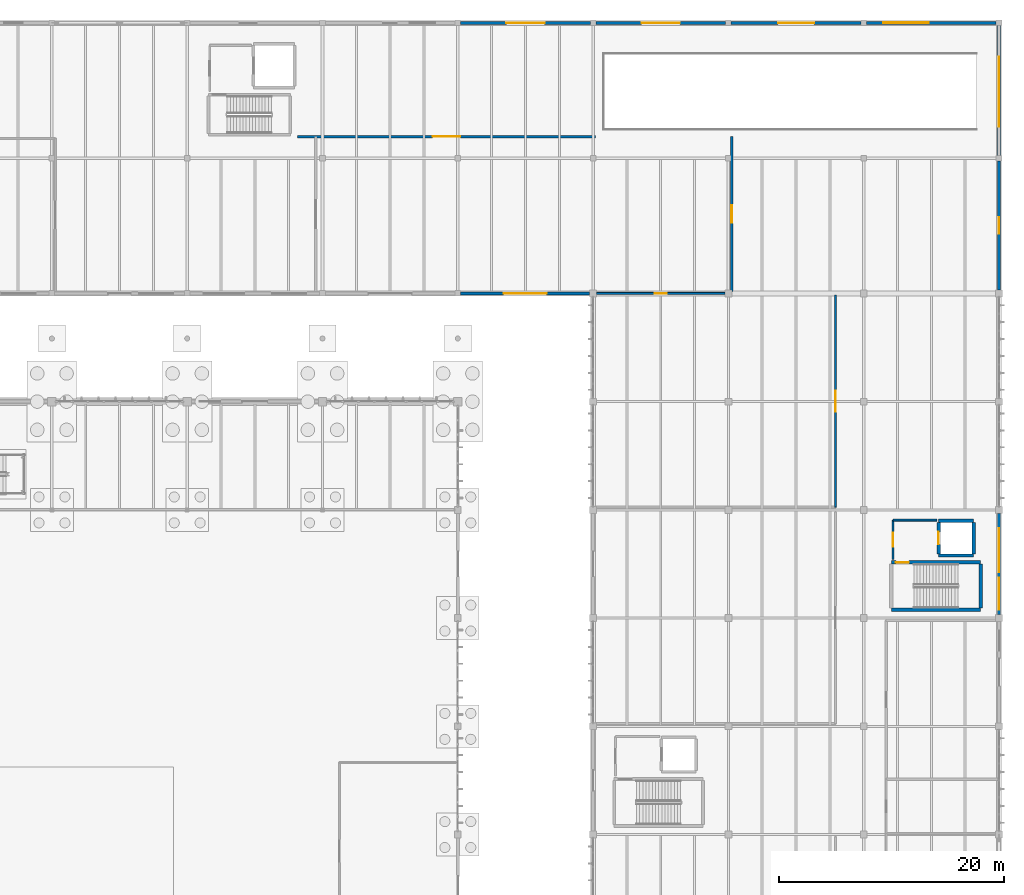
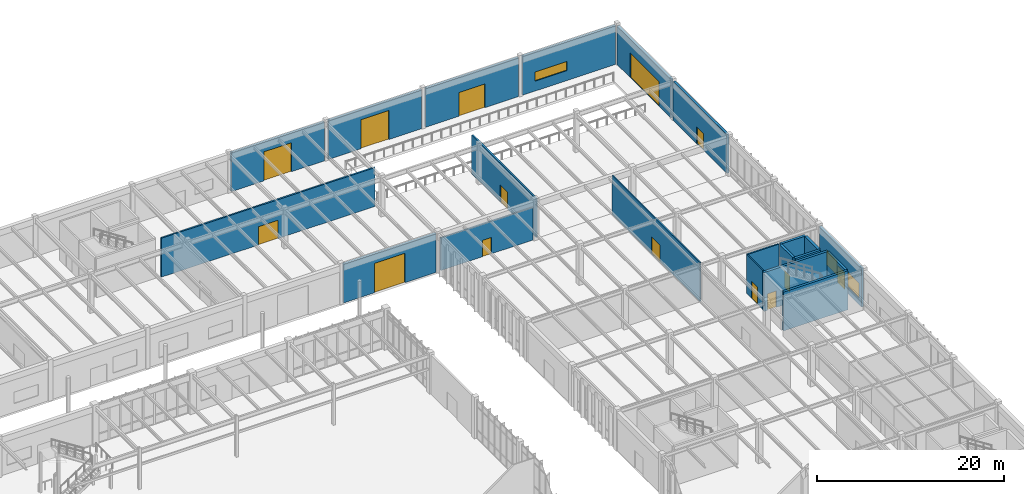
# One storey, part 169 of 188: 21 walls, 14 doors, 3 windows, 17 openings.
"""IFC4 building model written with IfcOpenShell, lengths in metres."""

from ifc_helpers import new_model, si_unit, direction, frame, frame_2d, origin, place, context, subcontext, project, spatial, rectangle, extrude, material, layer, layer_set, type_object, element, fill, save


model = new_model("IFC4")

# Units and contexts
model_context = context("Model", 3, precision=1e-05, world=origin(), true_north=direction((0.0, 1.0)))
body_context = subcontext(model_context, "Body", "Model", "MODEL_VIEW")
ifc_project = project(units=[si_unit("LENGTHUNIT", "METRE"), si_unit("AREAUNIT", "SQUARE_METRE"), si_unit("VOLUMEUNIT", "CUBIC_METRE"), si_unit("PLANEANGLEUNIT", "RADIAN"), si_unit("MASSUNIT", "GRAM", prefix="KILO")], contexts=[model_context])

# Site, building, storey
site_placement = place(None, origin())
site = spatial("IfcSite", under=ifc_project, at=site_placement, CompositionType="ELEMENT")
building_placement = place(site_placement, origin())
building = spatial("IfcBuilding", under=site, at=building_placement, Name="Pandanus Reach Market Hall", CompositionType="ELEMENT")
storey_placement = place(building_placement, origin())
storey = spatial("IfcBuildingStorey", under=building, at=storey_placement, Name="L00", CompositionType="ELEMENT", Elevation=0.0)

# Wall
ifc_material_1 = material(Name="Concrete N40 (40 MPa)", Category="concrete")
ifc_layer_1 = layer(ifc_material_1, 0.300048828125, Name="WL-CORE-300")
ifc_layer_set_1 = layer_set([ifc_layer_1], Name="Concrete N40 (40 MPa)")
wall_type_1 = type_object("IfcWallType", Name="WL-CORE-300", PredefinedType="SHEAR", material=ifc_layer_set_1)
wall_1_placement = place(storey_placement, frame((170.449951171875, 67.949951171875, 0.0), z_axis=(0.0, 0.0, 1.0), x_axis=(1.0, 0.0, 0.0)))
element("IfcWall", 1, at=wall_1_placement, inside=storey, type_object=wall_type_1, Name="Internal wall WL-CORE-300 WL-0220", PredefinedType="SHEAR", context=body_context, shape_type="SweptSolid", body=[
    extrude(rectangle(XDim=7.920166015625, YDim=0.300048828125, at=frame_2d((3.9599609375, 0.0))), origin(), (0.0, 0.0, 1.0), 5.080078125),
])

# Wall, opening, door
wall_2_placement = place(storey_placement, frame((170.449951171875, 72.14990234375, 0.0), z_axis=(0.0, 0.0, 1.0), x_axis=(1.0, 0.0, 0.0)))
wall_2 = element("IfcWall", 2, at=wall_2_placement, inside=storey, type_object=wall_type_1, Name="Internal wall WL-CORE-300 WL-0221", PredefinedType="SHEAR", context=body_context, shape_type="SweptSolid", body=[
    extrude(rectangle(XDim=7.920166015625, YDim=0.300048828125, at=frame_2d((3.9599609375, 0.0))), origin(), (0.0, 0.0, 1.0), 5.080078125),
])
opening_1_placement = place(wall_2_placement, frame((0.39990234375, 0.0, 0.0)))
opening_1 = element("IfcOpeningElement", 3, at=opening_1_placement, cuts=wall_2, Name="Opening DR-FD1", PredefinedType="OPENING", context=body_context, shape_type="SweptSolid", body=[
    extrude(rectangle(XDim=1.14990234375, YDim=2.14990234375, at=frame_2d((0.574951171875, 1.074951171875))), frame((0.0, 0.1650390625, 0.0), z_axis=(0.0, -1.0, 0.0), x_axis=(1.0, 0.0, 0.0)), (0.0, 0.0, 1.0), 0.330078125),
])
ifc_material_2 = material(Name="Fire-rated steel door", Category="steel")
door_type_1 = type_object("IfcDoorType", Name="DR-FD1", OperationType="NOTDEFINED", PredefinedType="DOOR", material=ifc_material_2)
door_1_placement = place(opening_1_placement, origin())
door_1 = element("IfcDoor", 4, at=door_1_placement, inside=storey, type_object=door_type_1, Name="Fire stair door ST-02 L00", OperationType="SINGLE_SWING_LEFT", OverallHeight=2.14990234375, OverallWidth=1.14990234375, PredefinedType="DOOR", context=body_context, shape_type="SweptSolid", body=[
    extrude(rectangle(XDim=1.14990234375, YDim=2.14990234375, at=frame_2d((0.574951171875, 1.074951171875))), frame((0.0, 0.02490234375, 0.0), z_axis=(0.0, -1.0, 0.0), x_axis=(1.0, 0.0, 0.0)), (0.0, 0.0, 1.0), 0.050048828125),
])
fill(opening_1, door_1)

# Walls
wall_3_placement = place(storey_placement, frame((178.3701171875, 68.10009765625, 0.0), z_axis=(0.0, 0.0, 1.0), x_axis=(0.0, 1.0, 0.0)))
element("IfcWall", 5, at=wall_3_placement, inside=storey, type_object=wall_type_1, Name="Internal wall WL-CORE-300 WL-0223", PredefinedType="SHEAR", context=body_context, shape_type="SweptSolid", body=[
    extrude(rectangle(XDim=3.89990234375, YDim=0.300048828125, at=frame_2d((1.949951171875, 0.0))), origin(), (0.0, 0.0, 1.0), 5.080078125),
])
for number, where, z_axis, x_axis, name in (
    (6, (174.64990234375, 72.75, 0.0), (0.0, 0.0, 1.0), (1.0, 0.0, 0.0), "Internal wall WL-CORE-300 WL-0224"),
    (7, (174.64990234375, 75.85009765625, 0.0), (0.0, 0.0, 1.0), (1.0, 0.0, 0.0), "Internal wall WL-CORE-300 WL-0225"),
):
    element("IfcWall", number, at=place(storey_placement, frame(where, z_axis=z_axis, x_axis=x_axis)), inside=storey, type_object=wall_type_1, Name=name, PredefinedType="SHEAR", context=body_context, shape_type="SweptSolid", body=[
        extrude(rectangle(XDim=3.10009765625, YDim=0.300048828125, at=frame_2d((1.550048828125, 0.0))), origin(), (0.0, 0.0, 1.0), 5.080078125),
    ])
wall_4_placement = place(storey_placement, frame((177.75, 72.89990234375, 0.0), z_axis=(0.0, 0.0, 1.0), x_axis=(0.0, 1.0, 0.0)))
element("IfcWall", 8, at=wall_4_placement, inside=storey, type_object=wall_type_1, Name="Internal wall WL-CORE-300 WL-0226", PredefinedType="SHEAR", context=body_context, shape_type="SweptSolid", body=[
    extrude(rectangle(XDim=2.800048828125, YDim=0.300048828125, at=frame_2d((1.39990234375, 0.0))), origin(), (0.0, 0.0, 1.0), 5.080078125),
])

# Wall, opening, door
wall_5_placement = place(storey_placement, frame((174.64990234375, 72.89990234375, 0.0), z_axis=(0.0, 0.0, 1.0), x_axis=(0.0, 1.0, 0.0)))
wall_5 = element("IfcWall", 9, at=wall_5_placement, inside=storey, type_object=wall_type_1, Name="Internal wall WL-CORE-300 WL-0227", PredefinedType="SHEAR", context=body_context, shape_type="SweptSolid", body=[
    extrude(rectangle(XDim=2.800048828125, YDim=0.300048828125, at=frame_2d((1.39990234375, 0.0))), origin(), (0.0, 0.0, 1.0), 5.080078125),
])
opening_2_placement = place(wall_5_placement, frame((0.85009765625, 0.0, 0.0)))
opening_2 = element("IfcOpeningElement", 10, at=opening_2_placement, cuts=wall_5, Name="Opening LD-01", PredefinedType="OPENING", context=body_context, shape_type="SweptSolid", body=[
    extrude(rectangle(XDim=1.10009765625, YDim=2.14990234375, at=frame_2d((0.550048828125, 1.074951171875))), frame((0.0, 0.1650390625, 0.0), z_axis=(0.0, -1.0, 0.0), x_axis=(1.0, 0.0, 0.0)), (0.0, 0.0, 1.0), 0.330078125),
])
ifc_material_3 = material(Name="Stainless steel lift landing door", Category="steel")
door_type_2 = type_object("IfcDoorType", Name="LD-01", OperationType="SLIDING_TO_LEFT", PredefinedType="DOOR", material=ifc_material_3)
door_2_placement = place(opening_2_placement, origin())
door_2 = element("IfcDoor", 11, at=door_2_placement, inside=storey, type_object=door_type_2, Name="Lift landing door LF-02 LD-01 24", OperationType="SLIDING_TO_LEFT", OverallHeight=2.14990234375, OverallWidth=1.10009765625, PredefinedType="DOOR", context=body_context, shape_type="SweptSolid", body=[
    extrude(rectangle(XDim=1.10009765625, YDim=2.14990234375, at=frame_2d((0.550048828125, 1.074951171875))), frame((0.0, 0.02490234375, 0.0), z_axis=(0.0, -1.0, 0.0), x_axis=(1.0, 0.0, 0.0)), (0.0, 0.0, 1.0), 0.050048828125),
])
fill(opening_2, door_2)

ifc_material_4 = material(Name="Precast concrete S50 (50 MPa)", Category="concrete")
ifc_layer_2 = layer(ifc_material_4, 0.175048828125, Name="WL-EXT-175")
ifc_layer_set_2 = layer_set([ifc_layer_2], Name="Precast concrete S50 (50 MPa)")
wall_type_2 = type_object("IfcWallType", Name="WL-EXT-175", PredefinedType="SOLIDWALL", material=ifc_layer_set_2)
wall_6_placement = place(storey_placement, frame((144.300048828125, 96.0, 0.0), z_axis=(0.0, 0.0, 1.0), x_axis=(1.0, 0.0, 0.0)))
wall_6 = element("IfcWall", 12, at=wall_6_placement, inside=storey, type_object=wall_type_2, Name="External wall WL-EXT-175 WL-0117", PredefinedType="SOLIDWALL", context=body_context, shape_type="SweptSolid", body=[
    extrude(rectangle(XDim=11.39990234375, YDim=0.175048828125, at=frame_2d((5.699951171875, 0.0))), origin(), (0.0, 0.0, 1.0), 4.256103515625),
])
opening_3_placement = place(wall_6_placement, frame((5.14990234375, 0.0, 0.0)))
opening_3 = element("IfcOpeningElement", 13, at=opening_3_placement, cuts=wall_6, Name="Opening ED-110", PredefinedType="OPENING", context=body_context, shape_type="SweptSolid", body=[
    extrude(rectangle(XDim=1.10009765625, YDim=2.14990234375, at=frame_2d((0.550048828125, 1.074951171875))), frame((0.0, 0.1025390625, 0.0), z_axis=(0.0, -1.0, 0.0), x_axis=(1.0, 0.0, 0.0)), (0.0, 0.0, 1.0), 0.205078125),
])
ifc_material_5 = material(Name="Galvanised steel Grade 350 (350 MPa)", Category="steel")
door_type_3 = type_object("IfcDoorType", Name="ED-110", OperationType="NOTDEFINED", PredefinedType="DOOR", material=ifc_material_5)
door_3_placement = place(opening_3_placement, frame((1.10009765625, 0.0, 0.0), z_axis=(0.0, 0.0, 1.0), x_axis=(-1.0, 0.0, 0.0)))
door_3 = element("IfcDoor", 14, at=door_3_placement, inside=storey, type_object=door_type_3, Name="Service lobby rated pass door ED-110 39", OperationType="SINGLE_SWING_RIGHT", OverallHeight=2.14990234375, OverallWidth=1.10009765625, PredefinedType="DOOR", context=body_context, shape_type="SweptSolid", body=[
    extrude(rectangle(XDim=1.10009765625, YDim=2.14990234375, at=frame_2d((0.550048828125, 1.074951171875))), frame((0.0, 0.02490234375, 0.0), z_axis=(0.0, -1.0, 0.0), x_axis=(1.0, 0.0, 0.0)), (0.0, 0.0, 1.0), 0.050048828125),
])
fill(opening_3, door_3)

# Wall, openings, door, windows
ifc_layer_3 = layer(ifc_material_4, 0.260009765625, Name="WL-EXT-260")
ifc_layer_set_3 = layer_set([ifc_layer_3], Name="Precast concrete S50 (50 MPa)")
wall_type_3 = type_object("IfcWallType", Name="WL-EXT-260", PredefinedType="SOLIDWALL", material=ifc_layer_set_3)
wall_7_placement = place(storey_placement, frame((180.0, 67.5, 0.0), z_axis=(0.0, 0.0, 1.0), x_axis=(0.0, 1.0, 0.0)))
wall_7 = element("IfcWall", 15, at=wall_7_placement, inside=storey, type_object=wall_type_3, Name="External wall WL-EXT-260 WL-0093", PredefinedType="SOLIDWALL", context=body_context, shape_type="SweptSolid", body=[
    extrude(rectangle(XDim=9.0, YDim=0.260009765625, at=frame_2d((4.5, 0.0))), origin(), (0.0, 0.0, 1.0), 5.10009765625),
])
opening_4_placement = place(wall_7_placement, frame((3.75, 0.0, 0.0)))
opening_4 = element("IfcOpeningElement", 16, at=opening_4_placement, cuts=wall_7, Name="Opening ED-150", PredefinedType="OPENING", context=body_context, shape_type="SweptSolid", body=[
    extrude(rectangle(XDim=1.5, YDim=2.199951171875, at=frame_2d((0.75, 1.10009765625))), frame((0.0, 0.14501953125, 0.0), z_axis=(0.0, -1.0, 0.0), x_axis=(1.0, 0.0, 0.0)), (0.0, 0.0, 1.0), 0.2900390625),
])
opening_5_placement = place(wall_7_placement, frame((5.39990234375, 0.0, 0.85009765625)))
opening_5 = element("IfcOpeningElement", 17, at=opening_5_placement, cuts=wall_7, Name="Opening WN-33", PredefinedType="OPENING", context=body_context, shape_type="SweptSolid", body=[
    extrude(rectangle(XDim=2.25, YDim=1.949951171875, at=frame_2d((1.125, 0.97509765625))), frame((0.0, 0.14501953125, 0.0), z_axis=(0.0, -1.0, 0.0), x_axis=(1.0, 0.0, 0.0)), (0.0, 0.0, 1.0), 0.2900390625),
])
opening_6_placement = place(wall_7_placement, frame((0.449951171875, 0.0, 0.85009765625)))
opening_6 = element("IfcOpeningElement", 18, at=opening_6_placement, cuts=wall_7, Name="Opening WN-34", PredefinedType="OPENING", context=body_context, shape_type="SweptSolid", body=[
    extrude(rectangle(XDim=2.85009765625, YDim=1.949951171875, at=frame_2d((1.425048828125, 0.97509765625))), frame((0.0, 0.14501953125, 0.0), z_axis=(0.0, -1.0, 0.0), x_axis=(1.0, 0.0, 0.0)), (0.0, 0.0, 1.0), 0.2900390625),
])
ifc_material_6 = material(Name="Bronze anodised aluminium", Category="aluminium")
door_type_4 = type_object("IfcDoorType", Name="ED-150", OperationType="NOTDEFINED", PredefinedType="DOOR", material=ifc_material_6)
door_4_placement = place(opening_4_placement, frame((1.5, 0.0, 0.0), z_axis=(0.0, 0.0, 1.0), x_axis=(-1.0, 0.0, 0.0)))
door_4 = element("IfcDoor", 19, at=door_4_placement, inside=storey, type_object=door_type_4, Name="Stair ST-02 boulevard exit ED-150 31", OperationType="SINGLE_SWING_RIGHT", OverallHeight=2.199951171875, OverallWidth=1.5, PredefinedType="DOOR", context=body_context, shape_type="SweptSolid", body=[
    extrude(rectangle(XDim=1.5, YDim=2.199951171875, at=frame_2d((0.75, 1.10009765625))), frame((0.0, 0.02490234375, 0.0), z_axis=(0.0, -1.0, 0.0), x_axis=(1.0, 0.0, 0.0)), (0.0, 0.0, 1.0), 0.050048828125),
])
fill(opening_4, door_4)
ifc_material_7 = material(Name="Solar-control double glazing", Category="glass")
window_type_1 = type_object("IfcWindowType", Name="WN-33", PartitioningType="SINGLE_PANEL", PredefinedType="WINDOW", material=ifc_material_7)
window_1_placement = place(opening_5_placement, origin())
window_1 = element("IfcWindow", 20, at=window_1_placement, inside=storey, type_object=window_type_1, Name="Window WN-33 48", OverallHeight=1.949951171875, OverallWidth=2.25, PartitioningType="SINGLE_PANEL", PredefinedType="WINDOW", context=body_context, shape_type="SweptSolid", body=[
    extrude(rectangle(XDim=2.25, YDim=1.949951171875, at=frame_2d((1.125, 0.97509765625))), frame((0.0, 0.030029296875, 0.0), z_axis=(0.0, -1.0, 0.0), x_axis=(1.0, 0.0, 0.0)), (0.0, 0.0, 1.0), 0.06005859375),
])
fill(opening_5, window_1)
window_type_2 = type_object("IfcWindowType", Name="WN-34", PartitioningType="SINGLE_PANEL", PredefinedType="WINDOW", material=ifc_material_7)
window_2_placement = place(opening_6_placement, origin())
window_2 = element("IfcWindow", 21, at=window_2_placement, inside=storey, type_object=window_type_2, Name="Window WN-34 49", OverallHeight=1.949951171875, OverallWidth=2.85009765625, PartitioningType="SINGLE_PANEL", PredefinedType="WINDOW", context=body_context, shape_type="SweptSolid", body=[
    extrude(rectangle(XDim=2.85009765625, YDim=1.949951171875, at=frame_2d((1.425048828125, 0.97509765625))), frame((0.0, 0.030029296875, 0.0), z_axis=(0.0, -1.0, 0.0), x_axis=(1.0, 0.0, 0.0)), (0.0, 0.0, 1.0), 0.06005859375),
])
fill(opening_6, window_2)

# Wall, opening, door
wall_8_placement = place(storey_placement, frame((132.25, 96.0, 0.0), z_axis=(0.0, 0.0, 1.0), x_axis=(1.0, 0.0, 0.0)))
wall_8 = element("IfcWall", 22, at=wall_8_placement, inside=storey, type_object=wall_type_3, Name="External wall WL-EXT-260 WL-0132", PredefinedType="SOLIDWALL", context=body_context, shape_type="SweptSolid", body=[
    extrude(rectangle(XDim=11.449951171875, YDim=0.260009765625, at=frame_2d((5.72509765625, 0.0))), origin(), (0.0, 0.0, 1.0), 5.080078125),
])
opening_7_placement = place(wall_8_placement, frame((3.824951171875, 0.0, 0.0)))
opening_7 = element("IfcOpeningElement", 23, at=opening_7_placement, cuts=wall_8, Name="Opening LDK-38", PredefinedType="OPENING", context=body_context, shape_type="SweptSolid", body=[
    extrude(rectangle(XDim=3.800048828125, YDim=3.85009765625, at=frame_2d((1.89990234375, 1.925048828125))), frame((0.0, 0.14501953125, 0.0), z_axis=(0.0, -1.0, 0.0), x_axis=(1.0, 0.0, 0.0)), (0.0, 0.0, 1.0), 0.2900390625),
])
ifc_material_8 = material(Name="Insulated galvanised steel dock shutter", Category="steel")
door_type_5 = type_object("IfcDoorType", Name="LDK-38", OperationType="ROLLINGUP", PredefinedType="GATE", material=ifc_material_8)
door_5_placement = place(opening_7_placement, frame((3.800048828125, 0.0, 0.0), z_axis=(0.0, 0.0, 1.0), x_axis=(-1.0, 0.0, 0.0)))
door_5 = element("IfcDoor", 24, at=door_5_placement, inside=storey, type_object=door_type_5, Name="HRV loading dock roller shutter LDK-38 47", OperationType="ROLLINGUP", OverallHeight=3.85009765625, OverallWidth=3.800048828125, PredefinedType="GATE", context=body_context, shape_type="SweptSolid", body=[
    extrude(rectangle(XDim=3.800048828125, YDim=3.85009765625, at=frame_2d((1.89990234375, 1.925048828125))), frame((0.0, 0.02490234375, 0.0), z_axis=(0.0, -1.0, 0.0), x_axis=(1.0, 0.0, 0.0)), (0.0, 0.0, 1.0), 0.050048828125),
])
fill(opening_7, door_5)

wall_9_placement = place(storey_placement, frame((132.25, 120.0, 0.0), z_axis=(0.0, 0.0, 1.0), x_axis=(1.0, 0.0, 0.0)))
wall_9 = element("IfcWall", 25, at=wall_9_placement, inside=storey, type_object=wall_type_3, Name="External wall WL-EXT-260 WL-0133", PredefinedType="SOLIDWALL", context=body_context, shape_type="SweptSolid", body=[
    extrude(rectangle(XDim=11.5, YDim=0.260009765625, at=frame_2d((5.75, 0.0))), origin(), (0.0, 0.0, 1.0), 5.080078125),
])
opening_8_placement = place(wall_9_placement, frame((4.050048828125, 0.0, 0.0)))
opening_8 = element("IfcOpeningElement", 26, at=opening_8_placement, cuts=wall_9, Name="Opening LDK-34", PredefinedType="OPENING", context=body_context, shape_type="SweptSolid", body=[
    extrude(rectangle(XDim=3.39990234375, YDim=3.800048828125, at=frame_2d((1.699951171875, 1.89990234375))), frame((0.0, 0.14501953125, 0.0), z_axis=(0.0, -1.0, 0.0), x_axis=(1.0, 0.0, 0.0)), (0.0, 0.0, 1.0), 0.2900390625),
])
door_type_6 = type_object("IfcDoorType", Name="LDK-34", OperationType="ROLLINGUP", PredefinedType="GATE", material=ifc_material_8)
door_6_placement = place(opening_8_placement, origin())
door_6 = element("IfcDoor", 27, at=door_6_placement, inside=storey, type_object=door_type_6, Name="MRV cold-store dock shutter LDK-34 48", OperationType="ROLLINGUP", OverallHeight=3.800048828125, OverallWidth=3.39990234375, PredefinedType="GATE", context=body_context, shape_type="SweptSolid", body=[
    extrude(rectangle(XDim=3.39990234375, YDim=3.800048828125, at=frame_2d((1.699951171875, 1.89990234375))), frame((0.0, 0.02490234375, 0.0), z_axis=(0.0, -1.0, 0.0), x_axis=(1.0, 0.0, 0.0)), (0.0, 0.0, 1.0), 0.050048828125),
])
fill(opening_8, door_6)

wall_10_placement = place(storey_placement, frame((144.25, 120.0, 0.0), z_axis=(0.0, 0.0, 1.0), x_axis=(1.0, 0.0, 0.0)))
wall_10 = element("IfcWall", 28, at=wall_10_placement, inside=storey, type_object=wall_type_3, Name="External wall WL-EXT-260 WL-0134", PredefinedType="SOLIDWALL", context=body_context, shape_type="SweptSolid", body=[
    extrude(rectangle(XDim=11.5, YDim=0.260009765625, at=frame_2d((5.75, 0.0))), origin(), (0.0, 0.0, 1.0), 5.080078125),
])
opening_9_placement = place(wall_10_placement, frame((4.050048828125, 0.0, 0.0)))
opening_9 = element("IfcOpeningElement", 29, at=opening_9_placement, cuts=wall_10, Name="Opening LDK-34", PredefinedType="OPENING", context=body_context, shape_type="SweptSolid", body=[
    extrude(rectangle(XDim=3.39990234375, YDim=3.800048828125, at=frame_2d((1.699951171875, 1.89990234375))), frame((0.0, 0.14501953125, 0.0), z_axis=(0.0, -1.0, 0.0), x_axis=(1.0, 0.0, 0.0)), (0.0, 0.0, 1.0), 0.2900390625),
])
door_7_placement = place(opening_9_placement, origin())
door_7 = element("IfcDoor", 30, at=door_7_placement, inside=storey, type_object=door_type_6, Name="MRV cold-store dock shutter LDK-34 49", OperationType="ROLLINGUP", OverallHeight=3.800048828125, OverallWidth=3.39990234375, PredefinedType="GATE", context=body_context, shape_type="SweptSolid", body=[
    extrude(rectangle(XDim=3.39990234375, YDim=3.800048828125, at=frame_2d((1.699951171875, 1.89990234375))), frame((0.0, 0.02490234375, 0.0), z_axis=(0.0, -1.0, 0.0), x_axis=(1.0, 0.0, 0.0)), (0.0, 0.0, 1.0), 0.050048828125),
])
fill(opening_9, door_7)

wall_11_placement = place(storey_placement, frame((156.25, 120.0, 0.0), z_axis=(0.0, 0.0, 1.0), x_axis=(1.0, 0.0, 0.0)))
wall_11 = element("IfcWall", 31, at=wall_11_placement, inside=storey, type_object=wall_type_3, Name="External wall WL-EXT-260 WL-0135", PredefinedType="SOLIDWALL", context=body_context, shape_type="SweptSolid", body=[
    extrude(rectangle(XDim=11.5, YDim=0.260009765625, at=frame_2d((5.75, 0.0))), origin(), (0.0, 0.0, 1.0), 5.080078125),
])
opening_10_placement = place(wall_11_placement, frame((4.14990234375, 0.0, 0.0)))
opening_10 = element("IfcOpeningElement", 32, at=opening_10_placement, cuts=wall_11, Name="Opening SYG-32", PredefinedType="OPENING", context=body_context, shape_type="SweptSolid", body=[
    extrude(rectangle(XDim=3.199951171875, YDim=3.10009765625, at=frame_2d((1.60009765625, 1.550048828125))), frame((0.0, 0.14501953125, 0.0), z_axis=(0.0, -1.0, 0.0), x_axis=(1.0, 0.0, 0.0)), (0.0, 0.0, 1.0), 0.2900390625),
])
ifc_material_9 = material(Name="Galvanised steel service yard shutter", Category="steel")
door_type_7 = type_object("IfcDoorType", Name="SYG-32", OperationType="ROLLINGUP", PredefinedType="GATE", material=ifc_material_9)
door_8_placement = place(opening_10_placement, origin())
door_8 = element("IfcDoor", 33, at=door_8_placement, inside=storey, type_object=door_type_7, Name="Service yard roller shutter gate SYG-32 50", OperationType="ROLLINGUP", OverallHeight=3.10009765625, OverallWidth=3.199951171875, PredefinedType="GATE", context=body_context, shape_type="SweptSolid", body=[
    extrude(rectangle(XDim=3.199951171875, YDim=3.10009765625, at=frame_2d((1.60009765625, 1.550048828125))), frame((0.0, 0.02490234375, 0.0), z_axis=(0.0, -1.0, 0.0), x_axis=(1.0, 0.0, 0.0)), (0.0, 0.0, 1.0), 0.050048828125),
])
fill(opening_10, door_8)

# Wall, opening, window
wall_12_placement = place(storey_placement, frame((168.25, 120.0, 0.0), z_axis=(0.0, 0.0, 1.0), x_axis=(1.0, 0.0, 0.0)))
wall_12 = element("IfcWall", 34, at=wall_12_placement, inside=storey, type_object=wall_type_3, Name="External wall WL-EXT-260 WL-0136", PredefinedType="SOLIDWALL", context=body_context, shape_type="SweptSolid", body=[
    extrude(rectangle(XDim=11.5, YDim=0.260009765625, at=frame_2d((5.75, 0.0))), origin(), (0.0, 0.0, 1.0), 5.080078125),
])
opening_11_placement = place(wall_12_placement, frame((1.5, 0.0, 1.300048828125)))
opening_11 = element("IfcOpeningElement", 35, at=opening_11_placement, cuts=wall_12, Name="Opening WN-25", PredefinedType="OPENING", context=body_context, shape_type="SweptSolid", body=[
    extrude(rectangle(XDim=4.0, YDim=1.199951171875, at=frame_2d((2.0, 0.60009765625))), frame((0.0, 0.14501953125, 0.0), z_axis=(0.0, -1.0, 0.0), x_axis=(1.0, 0.0, 0.0)), (0.0, 0.0, 1.0), 0.2900390625),
])
window_type_3 = type_object("IfcWindowType", Name="WN-25", PartitioningType="SINGLE_PANEL", PredefinedType="WINDOW", material=ifc_material_7)
window_3_placement = place(opening_11_placement, origin())
window_3 = element("IfcWindow", 36, at=window_3_placement, inside=storey, type_object=window_type_3, Name="Window WN-25 69", OverallHeight=1.199951171875, OverallWidth=4.0, PartitioningType="SINGLE_PANEL", PredefinedType="WINDOW", context=body_context, shape_type="SweptSolid", body=[
    extrude(rectangle(XDim=4.0, YDim=1.199951171875, at=frame_2d((2.0, 0.60009765625))), frame((0.0, 0.030029296875, 0.0), z_axis=(0.0, -1.0, 0.0), x_axis=(1.0, 0.0, 0.0)), (0.0, 0.0, 1.0), 0.06005859375),
])
fill(opening_11, window_3)

# Wall, opening, door
ifc_layer_4 = layer(ifc_material_4, 0.280029296875, Name="WL-EXT-280")
ifc_layer_set_4 = layer_set([ifc_layer_4], Name="Precast concrete S50 (50 MPa)")
wall_type_4 = type_object("IfcWallType", Name="WL-EXT-280", PredefinedType="SOLIDWALL", material=ifc_layer_set_4)
wall_13_placement = place(storey_placement, frame((180.0, 96.300048828125, 0.0), z_axis=(0.0, 0.0, 1.0), x_axis=(0.0, 1.0, 0.0)))
wall_13 = element("IfcWall", 37, at=wall_13_placement, inside=storey, type_object=wall_type_4, Name="External wall WL-EXT-280 WL-0137", PredefinedType="SOLIDWALL", context=body_context, shape_type="SweptSolid", body=[
    extrude(rectangle(XDim=11.449951171875, YDim=0.280029296875, at=frame_2d((5.72509765625, 0.0))), origin(), (0.0, 0.0, 1.0), 5.080078125),
])
opening_12_placement = place(wall_13_placement, frame((4.97509765625, 0.0, 0.0)))
opening_12 = element("IfcOpeningElement", 38, at=opening_12_placement, cuts=wall_13, Name="Opening ED-150", PredefinedType="OPENING", context=body_context, shape_type="SweptSolid", body=[
    extrude(rectangle(XDim=1.5, YDim=2.199951171875, at=frame_2d((0.75, 1.10009765625))), frame((0.0, 0.155029296875, 0.0), z_axis=(0.0, -1.0, 0.0), x_axis=(1.0, 0.0, 0.0)), (0.0, 0.0, 1.0), 0.31005859375),
])
door_9_placement = place(opening_12_placement, frame((1.5, 0.0, 0.0), z_axis=(0.0, 0.0, 1.0), x_axis=(-1.0, 0.0, 0.0)))
door_9 = element("IfcDoor", 39, at=door_9_placement, inside=storey, type_object=door_type_4, Name="Service hall east exit ED-150 51", OperationType="SINGLE_SWING_RIGHT", OverallHeight=2.199951171875, OverallWidth=1.5, PredefinedType="DOOR", context=body_context, shape_type="SweptSolid", body=[
    extrude(rectangle(XDim=1.5, YDim=2.199951171875, at=frame_2d((0.75, 1.10009765625))), frame((0.0, 0.02490234375, 0.0), z_axis=(0.0, -1.0, 0.0), x_axis=(1.0, 0.0, 0.0)), (0.0, 0.0, 1.0), 0.050048828125),
])
fill(opening_12, door_9)

wall_14_placement = place(storey_placement, frame((180.0, 108.25, 0.0), z_axis=(0.0, 0.0, 1.0), x_axis=(0.0, 1.0, 0.0)))
wall_14 = element("IfcWall", 40, at=wall_14_placement, inside=storey, type_object=wall_type_4, Name="External wall WL-EXT-280 WL-0138", PredefinedType="SOLIDWALL", context=body_context, shape_type="SweptSolid", body=[
    extrude(rectangle(XDim=11.5, YDim=0.280029296875, at=frame_2d((5.75, 0.0))), origin(), (0.0, 0.0, 1.0), 5.080078125),
])
opening_13_placement = place(wall_14_placement, frame((2.550048828125, 0.0, 0.0)))
opening_13 = element("IfcOpeningElement", 41, at=opening_13_placement, cuts=wall_14, Name="Opening VG-01", PredefinedType="OPENING", context=body_context, shape_type="SweptSolid", body=[
    extrude(rectangle(XDim=6.199951171875, YDim=3.199951171875, at=frame_2d((3.10009765625, 1.60009765625))), frame((0.0, 0.155029296875, 0.0), z_axis=(0.0, -1.0, 0.0), x_axis=(1.0, 0.0, 0.0)), (0.0, 0.0, 1.0), 0.31005859375),
])
ifc_material_10 = material(Name="Perforated galvanised steel shutter", Category="steel")
door_type_8 = type_object("IfcDoorType", Name="VG-01", OperationType="ROLLINGUP", PredefinedType="GATE", material=ifc_material_10)
door_10_placement = place(opening_13_placement, frame((6.199951171875, 0.0, 0.0), z_axis=(0.0, 0.0, 1.0), x_axis=(-1.0, 0.0, 0.0)))
door_10 = element("IfcDoor", 42, at=door_10_placement, inside=storey, type_object=door_type_8, Name="Car park vehicle ramp roller shutter gate VG-01", OperationType="ROLLINGUP", OverallHeight=3.199951171875, OverallWidth=6.199951171875, PredefinedType="GATE", context=body_context, shape_type="SweptSolid", body=[
    extrude(rectangle(XDim=6.199951171875, YDim=3.199951171875, at=frame_2d((3.10009765625, 1.60009765625))), frame((0.0, 0.02490234375, 0.0), z_axis=(0.0, -1.0, 0.0), x_axis=(1.0, 0.0, 0.0)), (0.0, 0.0, 1.0), 0.050048828125),
])
fill(opening_13, door_10)

ifc_layer_5 = layer(ifc_material_1, 0.199951171875, Name="WL-FIRE-200")
ifc_layer_set_5 = layer_set([ifc_layer_5], Name="Concrete N40 (40 MPa)")
wall_type_5 = type_object("IfcWallType", Name="WL-FIRE-200", PredefinedType="SOLIDWALL", material=ifc_layer_set_5)
wall_15_placement = place(storey_placement, frame((117.800048828125, 109.89990234375, 0.0), z_axis=(0.0, 0.0, 1.0), x_axis=(1.0, 0.0, 0.0)))
wall_15 = element("IfcWall", 43, at=wall_15_placement, inside=storey, type_object=wall_type_5, Name="Internal wall WL-FIRE-200 WL-0510", PredefinedType="SOLIDWALL", context=body_context, shape_type="SweptSolid", body=[
    extrude(rectangle(XDim=26.39990234375, YDim=0.199951171875, at=frame_2d((13.199951171875, 0.0))), origin(), (0.0, 0.0, 1.0), 5.080078125),
])
opening_14_placement = place(wall_15_placement, frame((11.97509765625, 0.0, 0.0)))
opening_14 = element("IfcOpeningElement", 44, at=opening_14_placement, cuts=wall_15, Name="Opening DR-FD7", PredefinedType="OPENING", context=body_context, shape_type="SweptSolid", body=[
    extrude(rectangle(XDim=2.449951171875, YDim=2.39990234375, at=frame_2d((1.22509765625, 1.199951171875))), frame((0.0, 0.114990234375, 0.0), z_axis=(0.0, -1.0, 0.0), x_axis=(1.0, 0.0, 0.0)), (0.0, 0.0, 1.0), 0.22998046875),
])
ifc_material_11 = material(Name="Fire-rated loading dock marshalling door")
door_type_9 = type_object("IfcDoorType", Name="DR-FD7", OperationType="DOUBLE_DOOR_SINGLE_SWING", PredefinedType="DOOR", material=ifc_material_11)
door_11_placement = place(opening_14_placement, origin())
door_11 = element("IfcDoor", 45, at=door_11_placement, inside=storey, type_object=door_type_9, Name="Cold-chain marshalling fire door DR-FD7 130", OperationType="DOUBLE_DOOR_SINGLE_SWING", OverallHeight=2.39990234375, OverallWidth=2.449951171875, PredefinedType="DOOR", context=body_context, shape_type="SweptSolid", body=[
    extrude(rectangle(XDim=2.449951171875, YDim=2.39990234375, at=frame_2d((1.22509765625, 1.199951171875))), frame((0.0, 0.02490234375, 0.0), z_axis=(0.0, -1.0, 0.0), x_axis=(1.0, 0.0, 0.0)), (0.0, 0.0, 1.0), 0.050048828125),
])
fill(opening_14, door_11)

wall_16_placement = place(storey_placement, frame((156.300048828125, 96.14990234375, 0.0), z_axis=(0.0, 0.0, 1.0), x_axis=(0.0, 1.0, 0.0)))
wall_16 = element("IfcWall", 46, at=wall_16_placement, inside=storey, type_object=wall_type_5, Name="Internal wall WL-FIRE-200 WL-0511", PredefinedType="SOLIDWALL", context=body_context, shape_type="SweptSolid", body=[
    extrude(rectangle(XDim=13.75, YDim=0.199951171875, at=frame_2d((6.875, 0.0))), origin(), (0.0, 0.0, 1.0), 5.080078125),
])
opening_15_placement = place(wall_16_placement, frame((6.10009765625, 0.0, 0.0)))
opening_15 = element("IfcOpeningElement", 47, at=opening_15_placement, cuts=wall_16, Name="Opening DR-FD5", PredefinedType="OPENING", context=body_context, shape_type="SweptSolid", body=[
    extrude(rectangle(XDim=1.550048828125, YDim=2.25, at=frame_2d((0.77490234375, 1.125))), frame((0.0, 0.114990234375, 0.0), z_axis=(0.0, -1.0, 0.0), x_axis=(1.0, 0.0, 0.0)), (0.0, 0.0, 1.0), 0.22998046875),
])
ifc_material_12 = material(Name="Fire-rated cold-chain airlock leaf door")
door_type_10 = type_object("IfcDoorType", Name="DR-FD5", OperationType="NOTDEFINED", PredefinedType="DOOR", material=ifc_material_12)
door_12_placement = place(opening_15_placement, origin())
door_12 = element("IfcDoor", 48, at=door_12_placement, inside=storey, type_object=door_type_10, Name="Waste compactor fire door DR-FD5 131", OperationType="SINGLE_SWING_RIGHT", OverallHeight=2.25, OverallWidth=1.550048828125, PredefinedType="DOOR", context=body_context, shape_type="SweptSolid", body=[
    extrude(rectangle(XDim=1.550048828125, YDim=2.25, at=frame_2d((0.77490234375, 1.125))), frame((0.0, 0.02490234375, 0.0), z_axis=(0.0, -1.0, 0.0), x_axis=(1.0, 0.0, 0.0)), (0.0, 0.0, 1.0), 0.050048828125),
])
fill(opening_15, door_12)

ifc_layer_6 = layer(ifc_material_1, 0.175048828125, Name="WL-LOB-175")
ifc_layer_set_6 = layer_set([ifc_layer_6], Name="Concrete N40 (40 MPa)")
wall_type_6 = type_object("IfcWallType", Name="WL-LOB-175", PredefinedType="PARTITIONING", material=ifc_layer_set_6)
wall_17_placement = place(storey_placement, frame((170.60009765625, 72.39990234375, 0.0), z_axis=(0.0, 0.0, 1.0), x_axis=(0.0, 1.0, 0.0)))
wall_17 = element("IfcWall", 49, at=wall_17_placement, inside=storey, type_object=wall_type_6, Name="Internal wall WL-LOB-175 WL-0228", PredefinedType="PARTITIONING", context=body_context, shape_type="SweptSolid", body=[
    extrude(rectangle(XDim=3.5, YDim=0.175048828125, at=frame_2d((1.75, 0.0))), origin(), (0.0, 0.0, 1.0), 5.080078125),
])
opening_16_placement = place(wall_17_placement, frame((1.125, 0.0, 0.0)))
opening_16 = element("IfcOpeningElement", 50, at=opening_16_placement, cuts=wall_17, Name="Opening DR-FD2", PredefinedType="OPENING", context=body_context, shape_type="SweptSolid", body=[
    extrude(rectangle(XDim=1.25, YDim=2.199951171875, at=frame_2d((0.625, 1.10009765625))), frame((0.0, 0.1025390625, 0.0), z_axis=(0.0, -1.0, 0.0), x_axis=(1.0, 0.0, 0.0)), (0.0, 0.0, 1.0), 0.205078125),
])
door_type_11 = type_object("IfcDoorType", Name="DR-FD2", OperationType="NOTDEFINED", PredefinedType="DOOR", material=ifc_material_2)
door_13_placement = place(opening_16_placement, frame((1.25, 0.0, 0.0), z_axis=(0.0, 0.0, 1.0), x_axis=(-1.0, 0.0, 0.0)))
door_13 = element("IfcDoor", 51, at=door_13_placement, inside=storey, type_object=door_type_11, Name="Core C2 lobby fire door DR-FD2 25", OperationType="SINGLE_SWING_RIGHT", OverallHeight=2.199951171875, OverallWidth=1.25, PredefinedType="DOOR", context=body_context, shape_type="SweptSolid", body=[
    extrude(rectangle(XDim=1.25, YDim=2.199951171875, at=frame_2d((0.625, 1.10009765625))), frame((0.0, 0.02490234375, 0.0), z_axis=(0.0, -1.0, 0.0), x_axis=(1.0, 0.0, 0.0)), (0.0, 0.0, 1.0), 0.050048828125),
])
fill(opening_16, door_13)

# Wall
wall_18_placement = place(storey_placement, frame((170.60009765625, 75.89990234375, 0.0), z_axis=(0.0, 0.0, 1.0), x_axis=(1.0, 0.0, 0.0)))
element("IfcWall", 52, at=wall_18_placement, inside=storey, type_object=wall_type_6, Name="Internal wall WL-LOB-175 WL-0229", PredefinedType="PARTITIONING", context=body_context, shape_type="SweptSolid", body=[
    extrude(rectangle(XDim=3.89990234375, YDim=0.175048828125, at=frame_2d((1.949951171875, 0.0))), origin(), (0.0, 0.0, 1.0), 5.080078125),
])

# Wall, opening, door
ifc_material_13 = material(Name="Acoustic plasterboard on steel framing", Category="steel")
ifc_layer_7 = layer(ifc_material_13, 0.14990234375, Name="WL-PRT-150")
ifc_layer_set_7 = layer_set([ifc_layer_7], Name="Acoustic plasterboard on steel framing")
wall_type_7 = type_object("IfcWallType", Name="WL-PRT-150", PredefinedType="PARTITIONING", material=ifc_layer_set_7)
wall_19_placement = place(storey_placement, frame((165.5, 77.050048828125, 0.0), z_axis=(0.0, 0.0, 1.0), x_axis=(0.0, 1.0, 0.0)))
wall_19 = element("IfcWall", 53, at=wall_19_placement, inside=storey, type_object=wall_type_7, Name="Internal wall WL-PRT-150 WL-0497", PredefinedType="PARTITIONING", context=body_context, shape_type="SweptSolid", body=[
    extrude(rectangle(XDim=18.800048828125, YDim=0.14990234375, at=frame_2d((9.39990234375, 0.0))), origin(), (0.0, 0.0, 1.0), 5.080078125),
])
opening_17_placement = place(wall_19_placement, frame((8.47509765625, 0.0, 0.0)))
opening_17 = element("IfcOpeningElement", 54, at=opening_17_placement, cuts=wall_19, Name="Opening DR-I18", PredefinedType="OPENING", context=body_context, shape_type="SweptSolid", body=[
    extrude(rectangle(XDim=1.85009765625, YDim=2.199951171875, at=frame_2d((0.925048828125, 1.10009765625))), frame((0.0, 0.08984375, 0.0), z_axis=(0.0, -1.0, 0.0), x_axis=(1.0, 0.0, 0.0)), (0.0, 0.0, 1.0), 0.179931640625),
])
ifc_material_14 = material(Name="Double market gallery swing door")
door_type_12 = type_object("IfcDoorType", Name="DR-I18", OperationType="DOUBLE_DOOR_SINGLE_SWING", PredefinedType="DOOR", material=ifc_material_14)
door_14_placement = place(opening_17_placement, origin())
door_14 = element("IfcDoor", 55, at=door_14_placement, inside=storey, type_object=door_type_12, Name="Butcher shop corridor door DR-I18 122", OperationType="DOUBLE_DOOR_SINGLE_SWING", OverallHeight=2.199951171875, OverallWidth=1.85009765625, PredefinedType="DOOR", context=body_context, shape_type="SweptSolid", body=[
    extrude(rectangle(XDim=1.85009765625, YDim=2.199951171875, at=frame_2d((0.925048828125, 1.10009765625))), frame((0.0, 0.02490234375, 0.0), z_axis=(0.0, -1.0, 0.0), x_axis=(1.0, 0.0, 0.0)), (0.0, 0.0, 1.0), 0.050048828125),
])
fill(opening_17, door_14)

save(model, "model.ifc")
